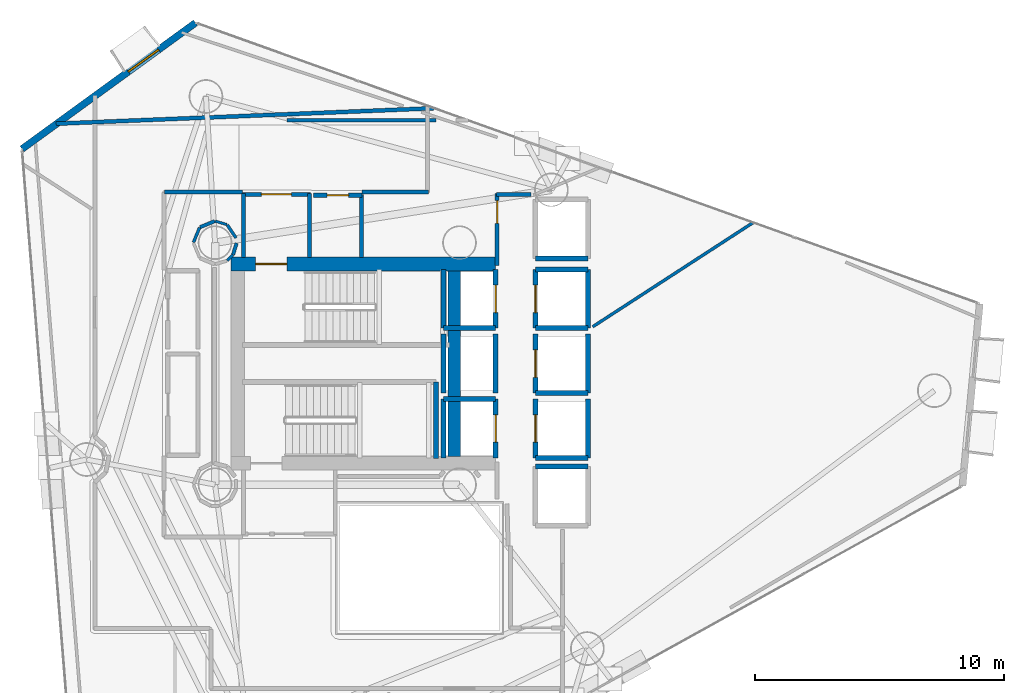
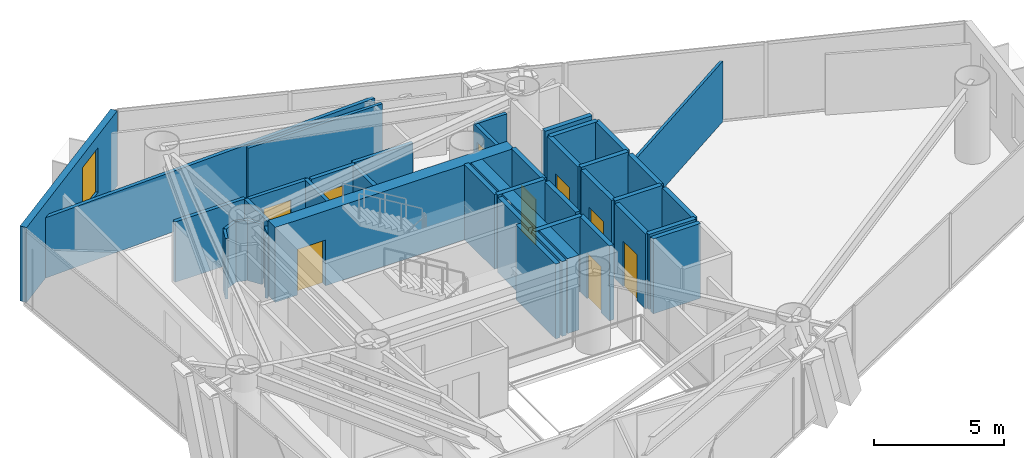
# One storey, part 19 of 21: 42 walls, 9 doors, 1 window, 10 openings.
"""IFC4 building model written with IfcOpenShell, lengths in metres."""

from ifc_helpers import new_model, si_unit, direction, frame, frame_2d, origin, place, context, subcontext, project, spatial, rectangle, extrude, material, layer, layer_set, type_object, element, fill, save


model = new_model("IFC4")

# Units and contexts
model_context = context("Model", 3, precision=1e-05, world=origin(), true_north=direction((0.0, 1.0)))
body_context = subcontext(model_context, "Body", "Model", "MODEL_VIEW")
ifc_project = project(units=[si_unit("LENGTHUNIT", "METRE"), si_unit("AREAUNIT", "SQUARE_METRE"), si_unit("VOLUMEUNIT", "CUBIC_METRE"), si_unit("PLANEANGLEUNIT", "RADIAN"), si_unit("MASSUNIT", "GRAM", prefix="KILO")], contexts=[model_context])

# Site, building, storey
site_placement = place(None, origin())
site = spatial("IfcSite", under=ifc_project, at=site_placement, CompositionType="ELEMENT")
building_placement = place(site_placement, origin())
building = spatial("IfcBuilding", under=site, at=building_placement, Name="Qianvela Tower", CompositionType="ELEMENT")
storey_placement = place(building_placement, frame((0.0, 0.0, 166.10009765625)))
storey = spatial("IfcBuildingStorey", under=building, at=storey_placement, Name="L42", CompositionType="ELEMENT", Elevation=166.10009765625)

# Wall, opening, window
ifc_material_1 = material(Name="Terracotta Cladding on Concrete C40", Category="masonry")
ifc_layer_1 = layer(ifc_material_1, 0.280029296875)
ifc_layer_set_1 = layer_set([ifc_layer_1], Name="Terracotta Cladding on Concrete C40")
wall_type_1 = type_object("IfcWallType", Name="TERRACOTTA-WALL-280", PredefinedType="SOLIDWALL", material=ifc_layer_set_1)
wall_1_placement = place(storey_placement, frame((27.815185546875, 42.363525390625, 0.0), z_axis=(0.0, 0.0, 1.0), x_axis=(-0.808754507645, -0.588146364747, 0.0)))
wall_1 = element("IfcWall", 1, at=wall_1_placement, inside=storey, type_object=wall_type_1, Name="L42 Terracotta Chamfer Facet Wall 3", PredefinedType="SOLIDWALL", context=body_context, shape_type="SweptSolid", body=[
    extrude(rectangle(XDim=8.595458984375, YDim=0.280029296875, at=frame_2d((4.2978515625, 0.0))), origin(), (0.0, 0.0, 1.0), 3.52001953125),
])
opening_1_placement = place(wall_1_placement, frame((1.82861328125, 0.0, 0.85009765625)))
opening_1 = element("IfcOpeningElement", 2, at=opening_1_placement, cuts=wall_1, Name="Opening W-02", PredefinedType="OPENING", context=body_context, shape_type="SweptSolid", body=[
    extrude(rectangle(XDim=1.5, YDim=2.10009765625, at=frame_2d((0.75, 1.050048828125))), frame((0.0, 0.14990234375, 0.0), z_axis=(0.0, -1.0, 0.0), x_axis=(1.0, 0.0, 0.0)), (0.0, 0.0, 1.0), 0.300048828125),
])
ifc_material_2 = material(Name="Thermally Broken Aluminium and Low-E Glass", Category="aluminium")
window_type = type_object("IfcWindowType", Name="WIN-TC-1500x2100", PartitioningType="DOUBLE_PANEL_VERTICAL", PredefinedType="WINDOW", material=ifc_material_2)
window_placement = place(opening_1_placement, origin())
window = element("IfcWindow", 3, at=window_placement, inside=storey, type_object=window_type, Name="L42 Chamfer Facet Window 3.1", OverallHeight=2.10009765625, OverallWidth=1.5, PartitioningType="SINGLE_PANEL", PredefinedType="WINDOW", context=body_context, shape_type="SweptSolid", body=[
    extrude(rectangle(XDim=1.5, YDim=2.10009765625, at=frame_2d((0.75, 1.050048828125))), frame((0.0, 0.030029296875, 0.0), z_axis=(0.0, -1.0, 0.0), x_axis=(1.0, 0.0, 0.0)), (0.0, 0.0, 1.0), 0.06005859375),
])
fill(opening_1, window)

# Wall, opening, door
ifc_material_3 = material(Name="Concrete C60", Category="concrete")
ifc_layer_2 = layer(ifc_material_3, 0.550048828125)
ifc_layer_set_2 = layer_set([ifc_layer_2], Name="Concrete C60")
wall_type_2 = type_object("IfcWallType", Name="WT-CORE-550", PredefinedType="SHEAR", material=ifc_layer_set_2)
wall_2_placement = place(storey_placement, frame((29.22998046875, 32.695068359375, 0.0), z_axis=(0.0, 0.0, 1.0), x_axis=(1.0, 0.0, 0.0)))
wall_2 = element("IfcWall", 4, at=wall_2_placement, inside=storey, type_object=wall_type_2, Name="L42 North Core Shear Wall", PredefinedType="SHEAR", context=body_context, shape_type="SweptSolid", body=[
    extrude(rectangle(XDim=10.6201171875, YDim=0.550048828125, at=frame_2d((5.31005859375, 0.0))), origin(), (0.0, 0.0, 1.0), 3.52001953125),
])
opening_2_placement = place(wall_2_placement, frame((0.9951171875, 0.0, 0.0)))
opening_2 = element("IfcOpeningElement", 5, at=opening_2_placement, cuts=wall_2, Name="Opening D-ST1", PredefinedType="OPENING", context=body_context, shape_type="SweptSolid", body=[
    extrude(rectangle(XDim=1.25, YDim=2.14990234375, at=frame_2d((0.625, 1.074951171875))), frame((0.0, 0.284912109375, 0.0), z_axis=(0.0, -1.0, 0.0), x_axis=(1.0, 0.0, 0.0)), (0.0, 0.0, 1.0), 0.570068359375),
])
ifc_material_4 = material(Name="Galvanised Fire Steel Q355B", Category="steel")
door_type_1 = type_object("IfcDoorType", Name="DT-STAIR-FD90", OperationType="NOTDEFINED", PredefinedType="DOOR", material=ifc_material_4)
door_1_placement = place(opening_2_placement, origin())
door_1 = element("IfcDoor", 6, at=door_1_placement, inside=storey, type_object=door_type_1, Name="L42 Stair ST-1 Exit Door", OperationType="SINGLE_SWING_RIGHT", OverallHeight=2.14990234375, OverallWidth=1.25, PredefinedType="DOOR", context=body_context, shape_type="SweptSolid", body=[
    extrude(rectangle(XDim=1.25, YDim=2.14990234375, at=frame_2d((0.625, 1.074951171875))), frame((0.0, 0.02490234375, 0.0), z_axis=(0.0, -1.0, 0.0), x_axis=(1.0, 0.0, 0.0)), (0.0, 0.0, 1.0), 0.050048828125),
])
fill(opening_2, door_1)

# Walls
wall_3_placement = place(storey_placement, frame((38.179931640625, 24.97998046875, 0.0), z_axis=(0.0, 0.0, 1.0), x_axis=(0.0, 1.0, 0.0)))
element("IfcWall", 7, at=wall_3_placement, inside=storey, type_object=wall_type_2, Name="L42 East Spine Core Shear Wall", PredefinedType="SHEAR", context=body_context, shape_type="SweptSolid", body=[
    extrude(rectangle(XDim=7.43994140625, YDim=0.5, at=frame_2d((3.719970703125, 0.0))), origin(), (0.0, 0.0, 1.0), 3.52001953125),
])
ifc_material_5 = material(Name="Fire-Rated Gypsum and Concrete Block", Category="concrete")
ifc_layer_3 = layer(ifc_material_5, 0.159912109375)
ifc_layer_set_3 = layer_set([ifc_layer_3], Name="Fire-Rated Gypsum and Concrete Block")
wall_type_3 = type_object("IfcWallType", Name="WT-CORR-160", PredefinedType="PARTITIONING", material=ifc_layer_set_3)
wall_4_placement = place(storey_placement, frame((29.73095703125, 32.9580078125, 0.0), z_axis=(0.0, 0.0, 1.0), x_axis=(0.0, 1.0, 0.0)))
element("IfcWall", 8, at=wall_4_placement, inside=storey, type_object=wall_type_3, Name="L42 Partition 2", PredefinedType="PARTITIONING", context=body_context, shape_type="SweptSolid", body=[
    extrude(rectangle(XDim=2.56201171875, YDim=0.159912109375, at=frame_2d((1.281005859375, 0.0))), origin(), (0.0, 0.0, 1.0), 2.83984375),
])

# Wall, opening, door
wall_5_placement = place(storey_placement, frame((29.699951171875, 35.489013671875, 0.0), z_axis=(0.0, 0.0, 1.0), x_axis=(1.0, 0.0, 0.0)))
wall_5 = element("IfcWall", 9, at=wall_5_placement, inside=storey, type_object=wall_type_3, Name="L42 Partition 3", PredefinedType="PARTITIONING", context=body_context, shape_type="SweptSolid", body=[
    extrude(rectangle(XDim=2.719970703125, YDim=0.159912109375, at=frame_2d((1.35986328125, 0.0))), origin(), (0.0, 0.0, 1.0), 2.83984375),
])
opening_3_placement = place(wall_5_placement, frame((0.760009765625, 0.0, 0.0)))
opening_3 = element("IfcOpeningElement", 10, at=opening_3_placement, cuts=wall_5, Name="Opening D-LB1", PredefinedType="OPENING", context=body_context, shape_type="SweptSolid", body=[
    extrude(rectangle(XDim=1.199951171875, YDim=2.14990234375, at=frame_2d((0.60009765625, 1.074951171875))), frame((0.0, 0.08984375, 0.0), z_axis=(0.0, -1.0, 0.0), x_axis=(1.0, 0.0, 0.0)), (0.0, 0.0, 1.0), 0.179931640625),
])
ifc_material_6 = material(Name="Glazed Fire-Rated Steel Frame", Category="steel")
door_type_2 = type_object("IfcDoorType", Name="DT-LOBBY-FD90", OperationType="NOTDEFINED", PredefinedType="DOOR", material=ifc_material_6)
door_2_placement = place(opening_3_placement, origin())
door_2 = element("IfcDoor", 11, at=door_2_placement, inside=storey, type_object=door_type_2, Name="L42 Door L42 Firefighting Lobby North to L42 Floor Corridor", OperationType="SINGLE_SWING_RIGHT", OverallHeight=2.14990234375, OverallWidth=1.199951171875, PredefinedType="DOOR", context=body_context, shape_type="SweptSolid", body=[
    extrude(rectangle(XDim=1.199951171875, YDim=2.14990234375, at=frame_2d((0.60009765625, 1.074951171875))), frame((0.0, 0.02490234375, 0.0), z_axis=(0.0, -1.0, 0.0), x_axis=(1.0, 0.0, 0.0)), (0.0, 0.0, 1.0), 0.050048828125),
])
fill(opening_3, door_2)

# Wall
wall_6_placement = place(storey_placement, frame((32.388916015625, 35.52001953125, 0.0), z_axis=(0.0, 0.0, 1.0), x_axis=(0.0, -1.0, 0.0)))
element("IfcWall", 12, at=wall_6_placement, inside=storey, type_object=wall_type_3, Name="L42 Partition 4", PredefinedType="PARTITIONING", context=body_context, shape_type="SweptSolid", body=[
    extrude(rectangle(XDim=2.56201171875, YDim=0.159912109375, at=frame_2d((1.281005859375, 0.0))), origin(), (0.0, 0.0, 1.0), 2.83984375),
])

# Wall, opening, door
wall_7_placement = place(storey_placement, frame((39.910888671875, 32.639892578125, 0.0), z_axis=(0.0, 0.0, 1.0), x_axis=(0.0, 1.0, 0.0)))
wall_7 = element("IfcWall", 13, at=wall_7_placement, inside=storey, type_object=wall_type_3, Name="L42 Partition 12", PredefinedType="PARTITIONING", context=body_context, shape_type="SweptSolid", body=[
    extrude(rectangle(XDim=2.880126953125, YDim=0.159912109375, at=frame_2d((1.43994140625, 0.0))), origin(), (0.0, 0.0, 1.0), 2.83984375),
])
opening_4_placement = place(wall_7_placement, frame((1.679931640625, 0.0, 0.0)))
opening_4 = element("IfcOpeningElement", 14, at=opening_4_placement, cuts=wall_7, Name="Opening D-RM2", PredefinedType="OPENING", context=body_context, shape_type="SweptSolid", body=[
    extrude(rectangle(XDim=0.919921875, YDim=2.10009765625, at=frame_2d((0.4599609375, 1.050048828125))), frame((0.0, 0.08984375, 0.0), z_axis=(0.0, -1.0, 0.0), x_axis=(1.0, 0.0, 0.0)), (0.0, 0.0, 1.0), 0.179931640625),
])
ifc_material_7 = material(Name="Acoustic Oak Veneer Timber Door", Category="wood")
door_type_3 = type_object("IfcDoorType", Name="DT-ROOM-920", OperationType="NOTDEFINED", PredefinedType="DOOR", material=ifc_material_7)
door_3_placement = place(opening_4_placement, origin())
door_3 = element("IfcDoor", 15, at=door_3_placement, inside=storey, type_object=door_type_3, Name="L42 Door Student Wellness Lounge L42-04 to L42 Lift Lobby", OperationType="SINGLE_SWING_RIGHT", OverallHeight=2.10009765625, OverallWidth=0.919921875, PredefinedType="DOOR", context=body_context, shape_type="SweptSolid", body=[
    extrude(rectangle(XDim=0.919921875, YDim=2.10009765625, at=frame_2d((0.4599609375, 1.050048828125))), frame((0.0, 0.02490234375, 0.0), z_axis=(0.0, -1.0, 0.0), x_axis=(1.0, 0.0, 0.0)), (0.0, 0.0, 1.0), 0.050048828125),
])
fill(opening_4, door_3)

# Walls
wall_8_placement = place(storey_placement, frame((39.8798828125, 35.489013671875, 0.0), z_axis=(0.0, 0.0, 1.0), x_axis=(1.0, 0.0, 0.0)))
element("IfcWall", 16, at=wall_8_placement, inside=storey, type_object=wall_type_3, Name="L42 Partition 13", PredefinedType="PARTITIONING", context=body_context, shape_type="SweptSolid", body=[
    extrude(rectangle(XDim=1.3828125, YDim=0.159912109375, at=frame_2d((0.69140625, 0.0))), origin(), (0.0, 0.0, 1.0), 2.83984375),
])
wall_9_placement = place(storey_placement, frame((22.2333984375, 38.319091796875, 0.0), z_axis=(0.0, 0.0, 1.0), x_axis=(0.999162119882, 0.040927474794, 0.0)))
element("IfcWall", 17, at=wall_9_placement, inside=storey, type_object=wall_type_3, Name="L42 Partition 50", PredefinedType="PARTITIONING", context=body_context, shape_type="SweptSolid", body=[
    extrude(rectangle(XDim=15.151611328125, YDim=0.159912109375, at=frame_2d((7.57568359375, 0.0))), origin(), (0.0, 0.0, 1.0), 2.83984375),
])
wall_10_placement = place(storey_placement, frame((37.14990234375, 35.591064453125, 0.0), z_axis=(0.0, 0.0, 1.0), x_axis=(-1.0, 0.0, 0.0)))
element("IfcWall", 18, at=wall_10_placement, inside=storey, type_object=wall_type_3, Name="L42 Partition 52 seg 1", PredefinedType="PARTITIONING", context=body_context, shape_type="SweptSolid", body=[
    extrude(rectangle(XDim=2.64990234375, YDim=0.159912109375, at=frame_2d((1.324951171875, 0.0))), origin(), (0.0, 0.0, 1.0), 2.83984375),
])
wall_11_placement = place(storey_placement, frame((29.699951171875, 35.591064453125, 0.0), z_axis=(0.0, 0.0, 1.0), x_axis=(-1.0, 0.0, 0.0)))
element("IfcWall", 19, at=wall_11_placement, inside=storey, type_object=wall_type_3, Name="L42 Partition 52 seg 3", PredefinedType="PARTITIONING", context=body_context, shape_type="SweptSolid", body=[
    extrude(rectangle(XDim=3.119873046875, YDim=0.159912109375, at=frame_2d((1.56005859375, 0.0))), origin(), (0.0, 0.0, 1.0), 2.83984375),
])
ifc_material_8 = material(Name="Lightweight Gypsum Room Partition")
ifc_layer_4 = layer(ifc_material_8, 0.10498046875)
ifc_layer_set_4 = layer_set([ifc_layer_4], Name="Lightweight Gypsum Room Partition")
wall_type_4 = type_object("IfcWallType", Name="WT-PART-105", PredefinedType="PARTITIONING", material=ifc_layer_set_4)
wall_12_placement = place(storey_placement, frame((29.072998046875, 34.27392578125, 0.0), z_axis=(0.0, 0.0, 1.0), x_axis=(-0.956893067978, 0.290440452511, 0.0)))
element("IfcWall", 20, at=wall_12_placement, inside=storey, type_object=wall_type_4, Name="L42 Partition 112", PredefinedType="PARTITIONING", context=body_context, shape_type="SweptSolid", body=[
    extrude(rectangle(XDim=0.485107421875, YDim=0.10498046875, at=frame_2d((0.24267578125, 0.0))), origin(), (0.0, 0.0, 1.0), 2.83984375),
])
wall_13_placement = place(storey_placement, frame((29.085693359375, 32.833740234375, 0.0), z_axis=(0.0, 0.0, 1.0), x_axis=(0.707106781187, 0.707106781187, 0.0)))
element("IfcWall", 21, at=wall_13_placement, inside=storey, type_object=wall_type_4, Name="L42 Partition 118", PredefinedType="PARTITIONING", context=body_context, shape_type="SweptSolid", body=[
    extrude(rectangle(XDim=0.325927734375, YDim=0.10498046875, at=frame_2d((0.1630859375, 0.0))), origin(), (0.0, 0.0, 1.0), 2.83984375),
])
ifc_material_9 = material(Name="Insulated Gypsum Stud Partition")
ifc_layer_5 = layer(ifc_material_9, 0.1201171875)
ifc_layer_set_5 = layer_set([ifc_layer_5], Name="Insulated Gypsum Stud Partition")
wall_type_5 = type_object("IfcWallType", Name="WT-PART-120", PredefinedType="PARTITIONING", material=ifc_layer_set_5)
wall_14_placement = place(storey_placement, frame((43.73681640625, 30.177978515625, 0.0), z_axis=(0.0, 0.0, 1.0), x_axis=(0.838677877455, 0.544627779192, 0.0)))
element("IfcWall", 22, at=wall_14_placement, inside=storey, type_object=wall_type_5, Name="L42 Partition 81", PredefinedType="PARTITIONING", context=body_context, shape_type="SweptSolid", body=[
    extrude(rectangle(XDim=7.688232421875, YDim=0.1201171875, at=frame_2d((3.84423828125, 0.0))), origin(), (0.0, 0.0, 1.0), 2.83984375),
])
wall_15_placement = place(storey_placement, frame((29.44140625, 33.74072265625, 0.0), z_axis=(0.0, 0.0, 1.0), x_axis=(-0.559619584068, 0.828749613048, 0.0)))
element("IfcWall", 23, at=wall_15_placement, inside=storey, type_object=wall_type_5, Name="L42 Partition 111", PredefinedType="PARTITIONING", context=body_context, shape_type="SweptSolid", body=[
    extrude(rectangle(XDim=0.628662109375, YDim=0.1201171875, at=frame_2d((0.314453125, 0.0))), origin(), (0.0, 0.0, 1.0), 2.83984375),
])
wall_16_placement = place(storey_placement, frame((27.98095703125, 34.15234375, 0.0), z_axis=(0.0, 0.0, 1.0), x_axis=(-0.382824178437, -0.923821221018, 0.0)))
element("IfcWall", 24, at=wall_16_placement, inside=storey, type_object=wall_type_5, Name="L42 Partition 114", PredefinedType="PARTITIONING", context=body_context, shape_type="SweptSolid", body=[
    extrude(rectangle(XDim=0.638916015625, YDim=0.1201171875, at=frame_2d((0.3193359375, 0.0))), origin(), (0.0, 0.0, 1.0), 2.83984375),
])

# Wall, opening, door
ifc_material_10 = material(Name="Moisture-Resistant Acoustic Plumbing Wall")
ifc_layer_6 = layer(ifc_material_10, 0.175048828125)
ifc_layer_set_6 = layer_set([ifc_layer_6], Name="Moisture-Resistant Acoustic Plumbing Wall")
wall_type_6 = type_object("IfcWallType", Name="WT-PLUMB-175", PredefinedType="PLUMBINGWALL", material=ifc_layer_set_6)
wall_17_placement = place(storey_placement, frame((32.550048828125, 35.448974609375, 0.0), z_axis=(0.0, 0.0, 1.0), x_axis=(1.0, 0.0, 0.0)))
wall_17 = element("IfcWall", 25, at=wall_17_placement, inside=storey, type_object=wall_type_6, Name="L42 Partition 22", PredefinedType="PLUMBINGWALL", context=body_context, shape_type="SweptSolid", body=[
    extrude(rectangle(XDim=1.949951171875, YDim=0.175048828125, at=frame_2d((0.97509765625, 0.0))), origin(), (0.0, 0.0, 1.0), 2.83984375),
])
opening_5_placement = place(wall_17_placement, frame((0.544921875, 0.0, 0.0)))
opening_5 = element("IfcOpeningElement", 26, at=opening_5_placement, cuts=wall_17, Name="Opening D-WC1", PredefinedType="OPENING", context=body_context, shape_type="SweptSolid", body=[
    extrude(rectangle(XDim=0.860107421875, YDim=2.050048828125, at=frame_2d((0.43017578125, 1.02490234375))), frame((0.0, 0.097412109375, 0.0), z_axis=(0.0, -1.0, 0.0), x_axis=(1.0, 0.0, 0.0)), (0.0, 0.0, 1.0), 0.195068359375),
])
ifc_material_11 = material(Name="Moisture-Sealed Acoustic Timber Door", Category="wood")
door_type_4 = type_object("IfcDoorType", Name="DT-WC-860", OperationType="NOTDEFINED", PredefinedType="DOOR", material=ifc_material_11)
door_4_placement = place(opening_5_placement, origin())
door_4 = element("IfcDoor", 27, at=door_4_placement, inside=storey, type_object=door_type_4, Name="L42 Door L42 Accessible WC to L42 Floor Corridor", OperationType="SINGLE_SWING_LEFT", OverallHeight=2.050048828125, OverallWidth=0.860107421875, PredefinedType="DOOR", context=body_context, shape_type="SweptSolid", body=[
    extrude(rectangle(XDim=0.860107421875, YDim=2.050048828125, at=frame_2d((0.43017578125, 1.02490234375))), frame((0.0, 0.02490234375, 0.0), z_axis=(0.0, -1.0, 0.0), x_axis=(1.0, 0.0, 0.0)), (0.0, 0.0, 1.0), 0.050048828125),
])
fill(opening_5, door_4)

# Walls
wall_18_placement = place(storey_placement, frame((34.468994140625, 35.47998046875, 0.0), z_axis=(0.0, 0.0, 1.0), x_axis=(0.0, -1.0, 0.0)))
element("IfcWall", 28, at=wall_18_placement, inside=storey, type_object=wall_type_6, Name="L42 Partition 23", PredefinedType="PLUMBINGWALL", context=body_context, shape_type="SweptSolid", body=[
    extrude(rectangle(XDim=2.52197265625, YDim=0.175048828125, at=frame_2d((1.260986328125, 0.0))), origin(), (0.0, 0.0, 1.0), 2.83984375),
])
ifc_material_12 = material(Name="Acoustic Double Gypsum Stud Partition")
ifc_layer_7 = layer(ifc_material_12, 0.139892578125)
ifc_layer_set_7 = layer_set([ifc_layer_7], Name="Acoustic Double Gypsum Stud Partition")
wall_type_7 = type_object("IfcWallType", Name="WT-ROOM-140", PredefinedType="PARTITIONING", material=ifc_layer_set_7)
wall_19_placement = place(storey_placement, frame((37.4501953125, 38.45751953125, 0.0), z_axis=(0.0, 0.0, 1.0), x_axis=(-1.0, 0.0, 0.0)))
element("IfcWall", 29, at=wall_19_placement, inside=storey, type_object=wall_type_7, Name="L42 Partition 104 seg 1", PredefinedType="PARTITIONING", context=body_context, shape_type="SweptSolid", body=[
    extrude(rectangle(XDim=5.970458984375, YDim=0.139892578125, at=frame_2d((2.9853515625, 0.0))), origin(), (0.0, 0.0, 1.0), 2.83984375),
])
wall_20_placement = place(storey_placement, frame((28.588134765625, 34.41357421875, 0.0), z_axis=(0.0, 0.0, 1.0), x_axis=(-0.923956302996, -0.382498039412, 0.0)))
element("IfcWall", 30, at=wall_20_placement, inside=storey, type_object=wall_type_7, Name="L42 Partition 113", PredefinedType="PARTITIONING", context=body_context, shape_type="SweptSolid", body=[
    extrude(rectangle(XDim=0.638916015625, YDim=0.139892578125, at=frame_2d((0.3193359375, 0.0))), origin(), (0.0, 0.0, 1.0), 2.83984375),
])
wall_21_placement = place(storey_placement, frame((29.323974609375, 33.076904296875, 0.0), z_axis=(0.0, 0.0, 1.0), x_axis=(0.292866596221, 0.956153312402, 0.0)))
element("IfcWall", 31, at=wall_21_placement, inside=storey, type_object=wall_type_7, Name="L42 Partition 119", PredefinedType="PARTITIONING", context=body_context, shape_type="SweptSolid", body=[
    extrude(rectangle(XDim=0.478515625, YDim=0.139892578125, at=frame_2d((0.2392578125, 0.0))), origin(), (0.0, 0.0, 1.0), 2.83984375),
])
ifc_material_13 = material(Name="Concrete C50", Category="concrete")
ifc_layer_8 = layer(ifc_material_13, 0.199951171875)
ifc_layer_set_8 = layer_set([ifc_layer_8], Name="Concrete C50")
wall_type_8 = type_object("IfcWallType", Name="WT-SHAFT-200", PredefinedType="SOLIDWALL", material=ifc_layer_set_8)
wall_22_placement = place(storey_placement, frame((37.449951171875, 24.89990234375, 0.0), z_axis=(0.0, 0.0, 1.0), x_axis=(0.0, 1.0, 0.0)))
element("IfcWall", 32, at=wall_22_placement, inside=storey, type_object=wall_type_8, Name="L42 Stair ST-2 East Wall", PredefinedType="SOLIDWALL", context=body_context, shape_type="SweptSolid", body=[
    extrude(rectangle(XDim=3.06005859375, YDim=0.199951171875, at=frame_2d((1.530029296875, 0.0))), origin(), (0.0, 0.0, 1.0), 3.52001953125),
])

# Wall, opening, door
wall_23_placement = place(storey_placement, frame((39.85009765625, 30.1201171875, 0.0), z_axis=(0.0, 0.0, 1.0), x_axis=(0.0, 1.0, 0.0)))
wall_23 = element("IfcWall", 33, at=wall_23_placement, inside=storey, type_object=wall_type_8, Name="L42 Lift FL-1 E Shaft Wall", PredefinedType="SOLIDWALL", context=body_context, shape_type="SweptSolid", body=[
    extrude(rectangle(XDim=2.35986328125, YDim=0.199951171875, at=frame_2d((1.179931640625, 0.0))), origin(), (0.0, 0.0, 1.0), 3.52001953125),
])
opening_6_placement = place(wall_23_placement, frame((0.6298828125, 0.0, 0.0)))
opening_6 = element("IfcOpeningElement", 34, at=opening_6_placement, cuts=wall_23, Name="Opening LD-01", PredefinedType="OPENING", context=body_context, shape_type="SweptSolid", body=[
    extrude(rectangle(XDim=1.10009765625, YDim=2.14990234375, at=frame_2d((0.550048828125, 1.074951171875))), frame((0.0, 0.10986328125, 0.0), z_axis=(0.0, -1.0, 0.0), x_axis=(1.0, 0.0, 0.0)), (0.0, 0.0, 1.0), 0.219970703125),
])
ifc_material_14 = material(Name="Brushed Stainless Steel Lift Landing Door", Category="steel")
door_type_5 = type_object("IfcDoorType", Name="DT-LIFT-SLIDE-1100", OperationType="SLIDING_TO_LEFT", PredefinedType="DOOR", material=ifc_material_14)
door_5_placement = place(opening_6_placement, origin())
door_5 = element("IfcDoor", 35, at=door_5_placement, inside=storey, type_object=door_type_5, Name="L42 Lift FL-1 Sliding Landing Door", OperationType="SLIDING_TO_LEFT", OverallHeight=2.14990234375, OverallWidth=1.10009765625, PredefinedType="DOOR", context=body_context, shape_type="SweptSolid", body=[
    extrude(rectangle(XDim=1.10009765625, YDim=2.14990234375, at=frame_2d((0.550048828125, 1.074951171875))), frame((0.0, 0.02490234375, 0.0), z_axis=(0.0, -1.0, 0.0), x_axis=(1.0, 0.0, 0.0)), (0.0, 0.0, 1.0), 0.050048828125),
])
fill(opening_6, door_5)

# Walls
wall_24_placement = place(storey_placement, frame((37.75, 30.1201171875, 0.0), z_axis=(0.0, 0.0, 1.0), x_axis=(0.0, 1.0, 0.0)))
element("IfcWall", 36, at=wall_24_placement, inside=storey, type_object=wall_type_8, Name="L42 Lift FL-1 W Shaft Wall", PredefinedType="SOLIDWALL", context=body_context, shape_type="SweptSolid", body=[
    extrude(rectangle(XDim=2.35986328125, YDim=0.199951171875, at=frame_2d((1.179931640625, 0.0))), origin(), (0.0, 0.0, 1.0), 3.52001953125),
])
wall_25_placement = place(storey_placement, frame((37.75, 30.1201171875, 0.0), z_axis=(0.0, 0.0, 1.0), x_axis=(1.0, 0.0, 0.0)))
element("IfcWall", 37, at=wall_25_placement, inside=storey, type_object=wall_type_8, Name="L42 Lift FL-1 S Shaft Wall", PredefinedType="SOLIDWALL", context=body_context, shape_type="SweptSolid", body=[
    extrude(rectangle(XDim=2.10009765625, YDim=0.199951171875, at=frame_2d((1.050048828125, 0.0))), origin(), (0.0, 0.0, 1.0), 3.52001953125),
])

# Wall, opening, door
wall_26_placement = place(storey_placement, frame((39.85009765625, 24.919921875, 0.0), z_axis=(0.0, 0.0, 1.0), x_axis=(0.0, 1.0, 0.0)))
wall_26 = element("IfcWall", 38, at=wall_26_placement, inside=storey, type_object=wall_type_8, Name="L42 Lift FL-2 E Shaft Wall", PredefinedType="SOLIDWALL", context=body_context, shape_type="SweptSolid", body=[
    extrude(rectangle(XDim=2.360107421875, YDim=0.199951171875, at=frame_2d((1.18017578125, 0.0))), origin(), (0.0, 0.0, 1.0), 3.52001953125),
])
opening_7_placement = place(wall_26_placement, frame((0.6298828125, 0.0, 0.0)))
opening_7 = element("IfcOpeningElement", 39, at=opening_7_placement, cuts=wall_26, Name="Opening LD-01", PredefinedType="OPENING", context=body_context, shape_type="SweptSolid", body=[
    extrude(rectangle(XDim=1.10009765625, YDim=2.14990234375, at=frame_2d((0.550048828125, 1.074951171875))), frame((0.0, 0.10986328125, 0.0), z_axis=(0.0, -1.0, 0.0), x_axis=(1.0, 0.0, 0.0)), (0.0, 0.0, 1.0), 0.219970703125),
])
door_6_placement = place(opening_7_placement, origin())
door_6 = element("IfcDoor", 40, at=door_6_placement, inside=storey, type_object=door_type_5, Name="L42 Lift FL-2 Sliding Landing Door", OperationType="SLIDING_TO_LEFT", OverallHeight=2.14990234375, OverallWidth=1.10009765625, PredefinedType="DOOR", context=body_context, shape_type="SweptSolid", body=[
    extrude(rectangle(XDim=1.10009765625, YDim=2.14990234375, at=frame_2d((0.550048828125, 1.074951171875))), frame((0.0, 0.02490234375, 0.0), z_axis=(0.0, -1.0, 0.0), x_axis=(1.0, 0.0, 0.0)), (0.0, 0.0, 1.0), 0.050048828125),
])
fill(opening_7, door_6)

# Walls
wall_27_placement = place(storey_placement, frame((37.75, 24.919921875, 0.0), z_axis=(0.0, 0.0, 1.0), x_axis=(0.0, 1.0, 0.0)))
element("IfcWall", 41, at=wall_27_placement, inside=storey, type_object=wall_type_8, Name="L42 Lift FL-2 W Shaft Wall", PredefinedType="SOLIDWALL", context=body_context, shape_type="SweptSolid", body=[
    extrude(rectangle(XDim=2.360107421875, YDim=0.199951171875, at=frame_2d((1.18017578125, 0.0))), origin(), (0.0, 0.0, 1.0), 3.52001953125),
])
wall_28_placement = place(storey_placement, frame((37.75, 27.280029296875, 0.0), z_axis=(0.0, 0.0, 1.0), x_axis=(1.0, 0.0, 0.0)))
element("IfcWall", 42, at=wall_28_placement, inside=storey, type_object=wall_type_8, Name="L42 Lift FL-2 N Shaft Wall", PredefinedType="SOLIDWALL", context=body_context, shape_type="SweptSolid", body=[
    extrude(rectangle(XDim=2.10009765625, YDim=0.199951171875, at=frame_2d((1.050048828125, 0.0))), origin(), (0.0, 0.0, 1.0), 3.52001953125),
])
wall_29_placement = place(storey_placement, frame((43.550048828125, 30.1201171875, 0.0), z_axis=(0.0, 0.0, 1.0), x_axis=(0.0, 1.0, 0.0)))
element("IfcWall", 43, at=wall_29_placement, inside=storey, type_object=wall_type_8, Name="L42 Lift PL-M1 E Shaft Wall", PredefinedType="SOLIDWALL", context=body_context, shape_type="SweptSolid", body=[
    extrude(rectangle(XDim=2.35986328125, YDim=0.199951171875, at=frame_2d((1.179931640625, 0.0))), origin(), (0.0, 0.0, 1.0), 3.52001953125),
])

# Wall, opening, door
wall_30_placement = place(storey_placement, frame((41.449951171875, 30.1201171875, 0.0), z_axis=(0.0, 0.0, 1.0), x_axis=(0.0, 1.0, 0.0)))
wall_30 = element("IfcWall", 44, at=wall_30_placement, inside=storey, type_object=wall_type_8, Name="L42 Lift PL-M1 W Shaft Wall", PredefinedType="SOLIDWALL", context=body_context, shape_type="SweptSolid", body=[
    extrude(rectangle(XDim=2.35986328125, YDim=0.199951171875, at=frame_2d((1.179931640625, 0.0))), origin(), (0.0, 0.0, 1.0), 3.52001953125),
])
opening_8_placement = place(wall_30_placement, frame((0.6298828125, 0.0, 0.0)))
opening_8 = element("IfcOpeningElement", 45, at=opening_8_placement, cuts=wall_30, Name="Opening LD-01", PredefinedType="OPENING", context=body_context, shape_type="SweptSolid", body=[
    extrude(rectangle(XDim=1.10009765625, YDim=2.14990234375, at=frame_2d((0.550048828125, 1.074951171875))), frame((0.0, 0.10986328125, 0.0), z_axis=(0.0, -1.0, 0.0), x_axis=(1.0, 0.0, 0.0)), (0.0, 0.0, 1.0), 0.219970703125),
])
door_7_placement = place(opening_8_placement, origin())
door_7 = element("IfcDoor", 46, at=door_7_placement, inside=storey, type_object=door_type_5, Name="L42 Lift PL-M1 Sliding Landing Door", OperationType="SLIDING_TO_LEFT", OverallHeight=2.14990234375, OverallWidth=1.10009765625, PredefinedType="DOOR", context=body_context, shape_type="SweptSolid", body=[
    extrude(rectangle(XDim=1.10009765625, YDim=2.14990234375, at=frame_2d((0.550048828125, 1.074951171875))), frame((0.0, 0.02490234375, 0.0), z_axis=(0.0, -1.0, 0.0), x_axis=(1.0, 0.0, 0.0)), (0.0, 0.0, 1.0), 0.050048828125),
])
fill(opening_8, door_7)

# Walls
for number, where, z_axis, x_axis, name in (
    (47, (41.449951171875, 32.47998046875, 0.0), (0.0, 0.0, 1.0), (1.0, 0.0, 0.0), "L42 Lift PL-M1 N Shaft Wall"),
    (48, (41.449951171875, 30.1201171875, 0.0), (0.0, 0.0, 1.0), (1.0, 0.0, 0.0), "L42 Lift PL-M1 S Shaft Wall"),
):
    element("IfcWall", number, at=place(storey_placement, frame(where, z_axis=z_axis, x_axis=x_axis)), inside=storey, type_object=wall_type_8, Name=name, PredefinedType="SOLIDWALL", context=body_context, shape_type="SweptSolid", body=[
        extrude(rectangle(XDim=2.10009765625, YDim=0.199951171875, at=frame_2d((1.050048828125, 0.0))), origin(), (0.0, 0.0, 1.0), 3.52001953125),
    ])
wall_31_placement = place(storey_placement, frame((43.550048828125, 27.52001953125, 0.0), z_axis=(0.0, 0.0, 1.0), x_axis=(0.0, 1.0, 0.0)))
element("IfcWall", 49, at=wall_31_placement, inside=storey, type_object=wall_type_8, Name="L42 Lift PL-M2 E Shaft Wall", PredefinedType="SOLIDWALL", context=body_context, shape_type="SweptSolid", body=[
    extrude(rectangle(XDim=2.35986328125, YDim=0.199951171875, at=frame_2d((1.179931640625, 0.0))), origin(), (0.0, 0.0, 1.0), 3.52001953125),
])

# Wall, opening, door
wall_32_placement = place(storey_placement, frame((41.449951171875, 27.52001953125, 0.0), z_axis=(0.0, 0.0, 1.0), x_axis=(0.0, 1.0, 0.0)))
wall_32 = element("IfcWall", 50, at=wall_32_placement, inside=storey, type_object=wall_type_8, Name="L42 Lift PL-M2 W Shaft Wall", PredefinedType="SOLIDWALL", context=body_context, shape_type="SweptSolid", body=[
    extrude(rectangle(XDim=2.35986328125, YDim=0.199951171875, at=frame_2d((1.179931640625, 0.0))), origin(), (0.0, 0.0, 1.0), 3.52001953125),
])
opening_9_placement = place(wall_32_placement, frame((0.6298828125, 0.0, 0.0)))
opening_9 = element("IfcOpeningElement", 51, at=opening_9_placement, cuts=wall_32, Name="Opening LD-01", PredefinedType="OPENING", context=body_context, shape_type="SweptSolid", body=[
    extrude(rectangle(XDim=1.10009765625, YDim=2.14990234375, at=frame_2d((0.550048828125, 1.074951171875))), frame((0.0, 0.10986328125, 0.0), z_axis=(0.0, -1.0, 0.0), x_axis=(1.0, 0.0, 0.0)), (0.0, 0.0, 1.0), 0.219970703125),
])
door_8_placement = place(opening_9_placement, origin())
door_8 = element("IfcDoor", 52, at=door_8_placement, inside=storey, type_object=door_type_5, Name="L42 Lift PL-M2 Sliding Landing Door", OperationType="SLIDING_TO_LEFT", OverallHeight=2.14990234375, OverallWidth=1.10009765625, PredefinedType="DOOR", context=body_context, shape_type="SweptSolid", body=[
    extrude(rectangle(XDim=1.10009765625, YDim=2.14990234375, at=frame_2d((0.550048828125, 1.074951171875))), frame((0.0, 0.02490234375, 0.0), z_axis=(0.0, -1.0, 0.0), x_axis=(1.0, 0.0, 0.0)), (0.0, 0.0, 1.0), 0.050048828125),
])
fill(opening_9, door_8)

# Walls
wall_33_placement = place(storey_placement, frame((41.449951171875, 27.52001953125, 0.0), z_axis=(0.0, 0.0, 1.0), x_axis=(1.0, 0.0, 0.0)))
element("IfcWall", 53, at=wall_33_placement, inside=storey, type_object=wall_type_8, Name="L42 Lift PL-M2 S Shaft Wall", PredefinedType="SOLIDWALL", context=body_context, shape_type="SweptSolid", body=[
    extrude(rectangle(XDim=2.10009765625, YDim=0.199951171875, at=frame_2d((1.050048828125, 0.0))), origin(), (0.0, 0.0, 1.0), 3.52001953125),
])
wall_34_placement = place(storey_placement, frame((43.550048828125, 24.919921875, 0.0), z_axis=(0.0, 0.0, 1.0), x_axis=(0.0, 1.0, 0.0)))
element("IfcWall", 54, at=wall_34_placement, inside=storey, type_object=wall_type_8, Name="L42 Lift PL-M3 E Shaft Wall", PredefinedType="SOLIDWALL", context=body_context, shape_type="SweptSolid", body=[
    extrude(rectangle(XDim=2.360107421875, YDim=0.199951171875, at=frame_2d((1.18017578125, 0.0))), origin(), (0.0, 0.0, 1.0), 3.52001953125),
])

# Wall, opening, door
wall_35_placement = place(storey_placement, frame((41.449951171875, 24.919921875, 0.0), z_axis=(0.0, 0.0, 1.0), x_axis=(0.0, 1.0, 0.0)))
wall_35 = element("IfcWall", 55, at=wall_35_placement, inside=storey, type_object=wall_type_8, Name="L42 Lift PL-M3 W Shaft Wall", PredefinedType="SOLIDWALL", context=body_context, shape_type="SweptSolid", body=[
    extrude(rectangle(XDim=2.360107421875, YDim=0.199951171875, at=frame_2d((1.18017578125, 0.0))), origin(), (0.0, 0.0, 1.0), 3.52001953125),
])
opening_10_placement = place(wall_35_placement, frame((0.6298828125, 0.0, 0.0)))
opening_10 = element("IfcOpeningElement", 56, at=opening_10_placement, cuts=wall_35, Name="Opening LD-01", PredefinedType="OPENING", context=body_context, shape_type="SweptSolid", body=[
    extrude(rectangle(XDim=1.10009765625, YDim=2.14990234375, at=frame_2d((0.550048828125, 1.074951171875))), frame((0.0, 0.10986328125, 0.0), z_axis=(0.0, -1.0, 0.0), x_axis=(1.0, 0.0, 0.0)), (0.0, 0.0, 1.0), 0.219970703125),
])
door_9_placement = place(opening_10_placement, origin())
door_9 = element("IfcDoor", 57, at=door_9_placement, inside=storey, type_object=door_type_5, Name="L42 Lift PL-M3 Sliding Landing Door", OperationType="SLIDING_TO_LEFT", OverallHeight=2.14990234375, OverallWidth=1.10009765625, PredefinedType="DOOR", context=body_context, shape_type="SweptSolid", body=[
    extrude(rectangle(XDim=1.10009765625, YDim=2.14990234375, at=frame_2d((0.550048828125, 1.074951171875))), frame((0.0, 0.02490234375, 0.0), z_axis=(0.0, -1.0, 0.0), x_axis=(1.0, 0.0, 0.0)), (0.0, 0.0, 1.0), 0.050048828125),
])
fill(opening_10, door_9)

# Walls
wall_36_placement = place(storey_placement, frame((41.449951171875, 24.919921875, 0.0), z_axis=(0.0, 0.0, 1.0), x_axis=(1.0, 0.0, 0.0)))
element("IfcWall", 58, at=wall_36_placement, inside=storey, type_object=wall_type_8, Name="L42 Lift PL-M3 S Shaft Wall", PredefinedType="SOLIDWALL", context=body_context, shape_type="SweptSolid", body=[
    extrude(rectangle(XDim=2.10009765625, YDim=0.199951171875, at=frame_2d((1.050048828125, 0.0))), origin(), (0.0, 0.0, 1.0), 3.52001953125),
])
for number, where, z_axis, x_axis, name in (
    (59, (39.85009765625, 27.52001953125, 0.0), (0.0, 0.0, 1.0), (0.0, 1.0, 0.0), "L42 Lift PL-H1 E Shaft Wall"),
    (60, (37.75, 27.52001953125, 0.0), (0.0, 0.0, 1.0), (0.0, 1.0, 0.0), "L42 Lift PL-H1 W Shaft Wall"),
):
    element("IfcWall", number, at=place(storey_placement, frame(where, z_axis=z_axis, x_axis=x_axis)), inside=storey, type_object=wall_type_8, Name=name, PredefinedType="SOLIDWALL", context=body_context, shape_type="SweptSolid", body=[
        extrude(rectangle(XDim=2.35986328125, YDim=0.199951171875, at=frame_2d((1.179931640625, 0.0))), origin(), (0.0, 0.0, 1.0), 3.52001953125),
    ])
for number, where, z_axis, x_axis, name in (
    (61, (41.449951171875, 24.580078125, 0.0), (0.0, 0.0, 1.0), (1.0, 0.0, 0.0), "L42 Lift PL-H2 N Shaft Wall"),
    (62, (41.449951171875, 32.919921875, 0.0), (0.0, 0.0, 1.0), (1.0, 0.0, 0.0), "L42 Lift PL-H3 S Shaft Wall"),
):
    element("IfcWall", number, at=place(storey_placement, frame(where, z_axis=z_axis, x_axis=x_axis)), inside=storey, type_object=wall_type_8, Name=name, PredefinedType="SOLIDWALL", context=body_context, shape_type="SweptSolid", body=[
        extrude(rectangle(XDim=2.10009765625, YDim=0.199951171875, at=frame_2d((1.050048828125, 0.0))), origin(), (0.0, 0.0, 1.0), 3.52001953125),
    ])

save(model, "model.ifc")
